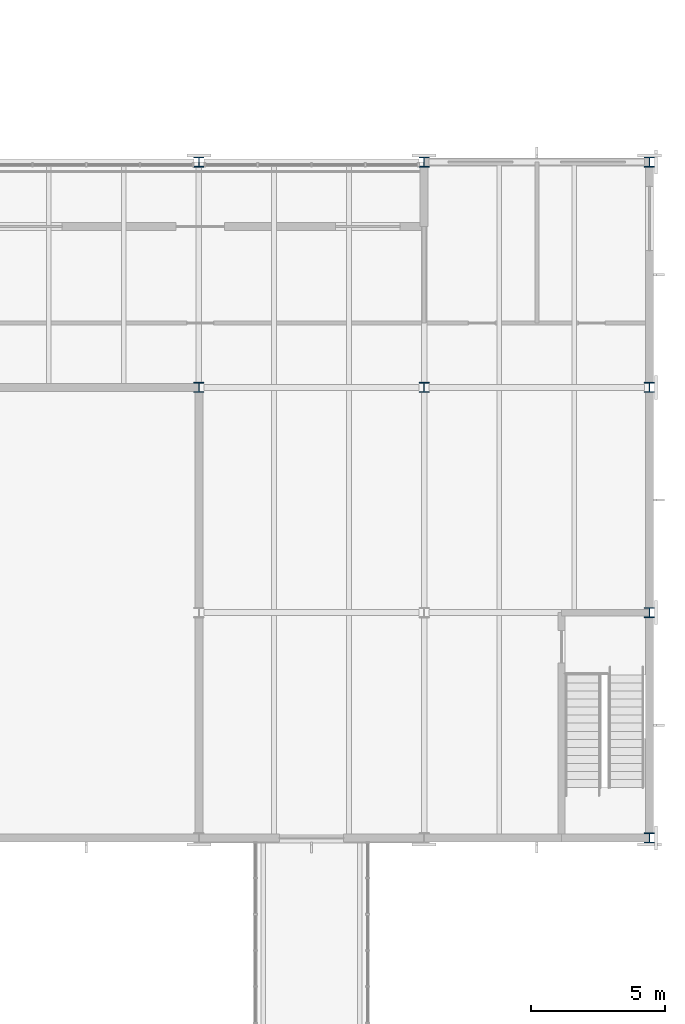
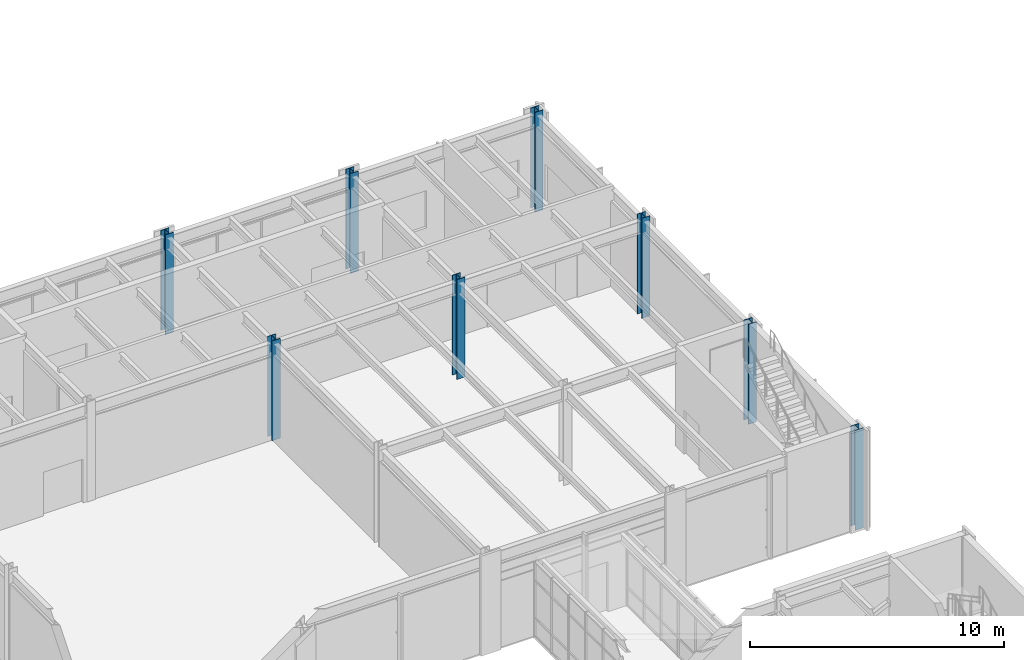
# One storey, part 14 of 127: 8 columns.
"""IFC4 building model written with IfcOpenShell, lengths in metres."""

from ifc_helpers import new_model, si_unit, direction, frame, origin, origin_2d, place, context, subcontext, project, spatial, i_section, extrude, material, material_profile, profile_set, type_object, element, save


model = new_model("IFC4")

# Units and contexts
model_context = context("Model", 3, precision=1e-05, world=origin(), true_north=direction((0.0, 1.0)))
body_context = subcontext(model_context, "Body", "Model", "MODEL_VIEW")
ifc_project = project(units=[si_unit("LENGTHUNIT", "METRE"), si_unit("AREAUNIT", "SQUARE_METRE"), si_unit("VOLUMEUNIT", "CUBIC_METRE"), si_unit("PLANEANGLEUNIT", "RADIAN"), si_unit("MASSUNIT", "GRAM", prefix="KILO")], contexts=[model_context])

# Site, building, storey
site_placement = place(None, origin())
site = spatial("IfcSite", under=ifc_project, at=site_placement, CompositionType="ELEMENT")
building_placement = place(site_placement, origin())
building = spatial("IfcBuilding", under=site, at=building_placement, Name="Ljudholm Concert House", CompositionType="ELEMENT")
storey_placement = place(building_placement, frame((0.0, 0.0, 5.39990234375)))
storey = spatial("IfcBuildingStorey", under=building, at=storey_placement, Name="L01", CompositionType="ELEMENT", Elevation=5.39990234375)

# Columns
ifc_material = material(Name="Steel ASTM A992", Category="steel")
ifc_material_profile = material_profile(ifc_material, i_section(OverallWidth=0.373291015625, OverallDepth=0.373291015625, WebThickness=0.016357421875, FlangeThickness=0.026123046875, FilletRadius=0.01513671875, at=origin_2d()), Name="W14X132")
ifc_profile_set = profile_set([ifc_material_profile], Name="Steel ASTM A992")
column_type = type_object("IfcColumnType", Name="STEEL COLUMN W14X132", PredefinedType="COLUMN", material=ifc_profile_set)
for number, where, z_axis, x_axis, name in (
    (1, (104.800048828125, 121.60009765625, 0.0), (0.0, 0.0, 1.0), (1.0, 0.0, 0.0), "Column STUDIO-L01-col-104.8-121.6"),
    (2, (104.800048828125, 130.0, 0.0), (0.0, 0.0, 1.0), (1.0, 0.0, 0.0), "Column STUDIO-L01-col-104.8-130"),
    (3, (113.199951171875, 121.60009765625, 0.0), (0.0, 0.0, 1.0), (1.0, 0.0, 0.0), "Column STUDIO-L01-col-113.2-121.6"),
    (4, (113.199951171875, 130.0, 0.0), (0.0, 0.0, 1.0), (1.0, 0.0, 0.0), "Column STUDIO-L01-col-113.2-130"),
    (5, (121.60009765625, 104.800048828125, 0.0), (0.0, 0.0, 1.0), (1.0, 0.0, 0.0), "Column STUDIO-L01-col-121.6-104.8"),
    (6, (121.60009765625, 113.199951171875, 0.0), (0.0, 0.0, 1.0), (1.0, 0.0, 0.0), "Column STUDIO-L01-col-121.6-113.2"),
    (7, (121.60009765625, 121.60009765625, 0.0), (0.0, 0.0, 1.0), (1.0, 0.0, 0.0), "Column STUDIO-L01-col-121.6-121.6"),
    (8, (121.60009765625, 130.0, 0.0), (0.0, 0.0, 1.0), (1.0, 0.0, 0.0), "Column STUDIO-L01-col-121.6-130"),
):
    element("IfcColumn", number, at=place(storey_placement, frame(where, z_axis=z_axis, x_axis=x_axis)), inside=storey, type_object=column_type, Name=name, PredefinedType="COLUMN", context=body_context, shape_type="SweptSolid", body=[
        extrude(i_section(OverallWidth=0.373291015625, OverallDepth=0.373291015625, WebThickness=0.016357421875, FlangeThickness=0.026123046875, FilletRadius=0.01513671875, at=origin_2d()), origin(), (0.0, 0.0, 1.0), 4.800048828125),
    ])

save(model, "model.ifc")
